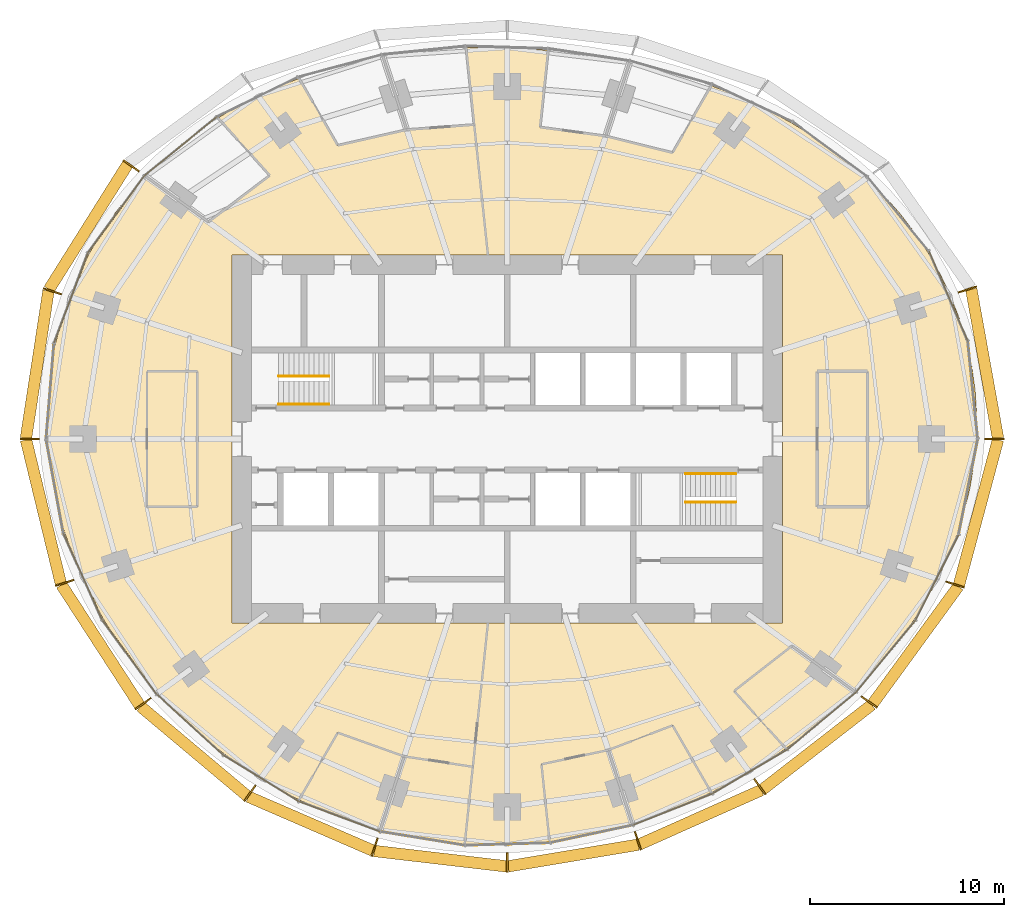
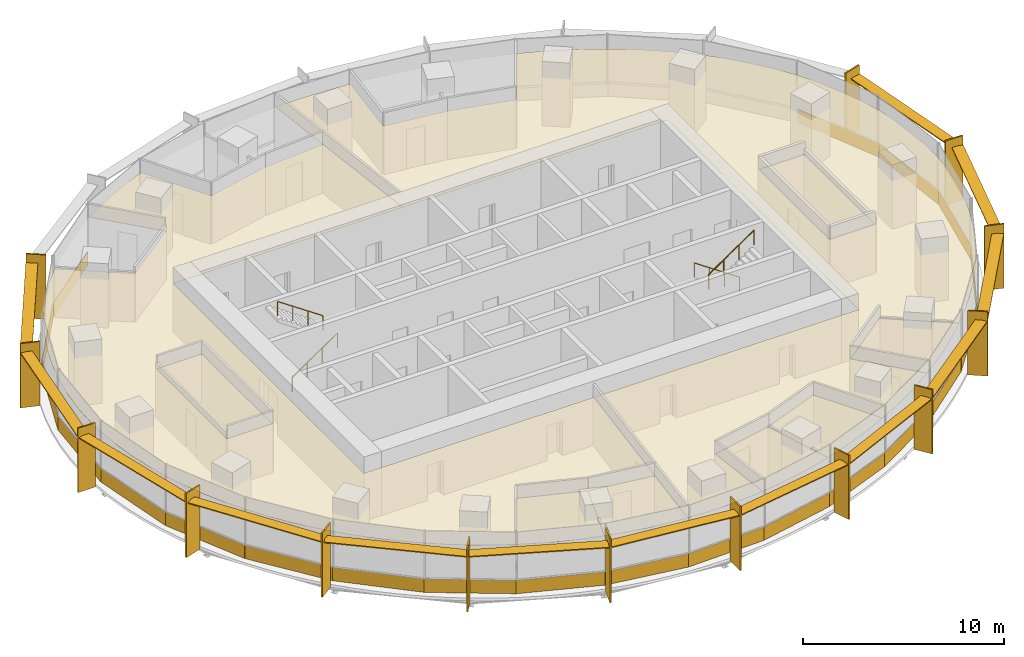
# One storey, part 14 of 15: 30 coverings, 27 shading devices, 4 railings.
"""IFC4 building model written with IfcOpenShell, lengths in metres."""

from ifc_helpers import new_model, si_unit, direction, frame, origin, origin_2d, place, context, subcontext, project, spatial, polyline, rectangle, circle, outline, extrude, material, layer, layer_set, type_object, element, save


model = new_model("IFC4")

# Units and contexts
model_context = context("Model", 3, precision=1e-05, world=origin(), true_north=direction((0.0, 1.0)))
body_context = subcontext(model_context, "Body", "Model", "MODEL_VIEW")
ifc_project = project(units=[si_unit("LENGTHUNIT", "METRE"), si_unit("AREAUNIT", "SQUARE_METRE"), si_unit("VOLUMEUNIT", "CUBIC_METRE"), si_unit("PLANEANGLEUNIT", "RADIAN"), si_unit("MASSUNIT", "GRAM", prefix="KILO")], contexts=[model_context])

# Site, building, storey
site_placement = place(None, origin())
site = spatial("IfcSite", under=ifc_project, at=site_placement, CompositionType="ELEMENT")
building_placement = place(site_placement, origin())
building = spatial("IfcBuilding", under=site, at=building_placement, Name="Marramba Exchange Tower", CompositionType="ELEMENT")
storey_placement = place(building_placement, frame((0.0, 0.0, 187.699951171875)))
storey = spatial("IfcBuildingStorey", under=building, at=storey_placement, Name="L45", CompositionType="ELEMENT", Elevation=187.699951171875)

# Shading devices
ifc_material_1 = material(Name="Aluminium blade, timber-look bronze finish", Category="wood")
ifc_layer_1 = layer(ifc_material_1, 0.080078125)
ifc_layer_set_1 = layer_set([ifc_layer_1], Name="Floor-edge blade 1000x80")
shading_device_type_1 = type_object("IfcShadingDeviceType", Name="Floor-edge blade 1000x80", PredefinedType="USERDEFINED", material=ifc_layer_set_1)
for number, where, z_axis, x_axis, name in (
    (1, (25.14404296875, 0.0, -0.159912109375), (0.0, 0.0, 1.0), (1.0, 0.0, 0.0), "Floor-edge blade FB1 L45 TC01"),
    (2, (23.757080078125, 7.718994140625, -0.159912109375), (0.0, 0.0, 1.0), (0.951056516295, 0.309016994375, 0.0), "Floor-edge blade FB1 L45 TC02"),
    (3, (-19.4140625, 14.105224609375, -0.159912109375), (0.0, 0.0, 1.0), (-0.809016994375, 0.587785252292, 0.0), "Floor-edge blade FB1 L45 TC09"),
    (4, (-23.488525390625, 7.6318359375, -0.159912109375), (0.0, 0.0, 1.0), (-0.951056516295, 0.309016994375, 0.0), "Floor-edge blade FB1 L45 TC10"),
    (5, (-24.656005859375, 0.0, -0.159912109375), (0.0, 0.0, 1.0), (-1.0, 0.0, 0.0), "Floor-edge blade FB1 L45 TC11"),
    (6, (-22.848876953125, -7.424072265625, -0.159912109375), (0.0, 0.0, 1.0), (-0.951056516295, -0.309016994375, 0.0), "Floor-edge blade FB1 L45 TC12"),
    (7, (-18.7998046875, -13.658935546875, -0.159912109375), (0.0, 0.0, 1.0), (-0.809016994375, -0.587785252292, 0.0), "Floor-edge blade FB1 L45 TC13"),
    (8, (-13.2841796875, -18.2841796875, -0.159912109375), (0.0, 0.0, 1.0), (-0.587785252292, -0.809016994375, 0.0), "Floor-edge blade FB1 L45 TC14"),
    (9, (-6.845703125, -21.069091796875, -0.159912109375), (0.0, 0.0, 1.0), (-0.309016994375, -0.951056516295, 0.0), "Floor-edge blade FB1 L45 TC15"),
    (10, (0.0, -21.86376953125, -0.159912109375), (0.0, 0.0, 1.0), (0.0, -1.0, 0.0), "Floor-edge blade FB1 L45 TC16"),
    (11, (6.739501953125, -20.741943359375, -0.159912109375), (0.0, 0.0, 1.0), (0.309016994375, -0.951056516295, 0.0), "Floor-edge blade FB1 L45 TC17"),
    (12, (13.0380859375, -17.9453125, -0.159912109375), (0.0, 0.0, 1.0), (0.587785252292, -0.809016994375, 0.0), "Floor-edge blade FB1 L45 TC18"),
    (13, (18.6845703125, -13.5751953125, -0.159912109375), (0.0, 0.0, 1.0), (0.809016994375, -0.587785252292, 0.0), "Floor-edge blade FB1 L45 TC19"),
    (14, (23.1171875, -7.51123046875, -0.159912109375), (0.0, 0.0, 1.0), (0.951056516295, -0.309016994375, 0.0), "Floor-edge blade FB1 L45 TC20"),
):
    element("IfcShadingDevice", number, at=place(storey_placement, frame(where, z_axis=z_axis, x_axis=x_axis)), inside=storey, type_object=shading_device_type_1, Name=name, ObjectType="FIN", PredefinedType="USERDEFINED", context=body_context, shape_type="SweptSolid", body=[
        extrude(rectangle(XDim=1.0, YDim=0.080078125, at=origin_2d()), origin(), (0.0, 0.0, 1.0), 3.89990234375),
    ])
ifc_material_2 = material(Name="Aluminium sunshade, bronze anodised", Category="aluminium")
ifc_layer_2 = layer(ifc_material_2, 0.06005859375)
ifc_layer_set_2 = layer_set([ifc_layer_2], Name="SUNSHADE blade 600x60")
shading_device_type_2 = type_object("IfcShadingDeviceType", Name="SUNSHADE blade 600x60", PredefinedType="USERDEFINED", material=ifc_layer_set_2)
shading_device_1_placement = place(storey_placement, frame((24.6455078125, 3.890380859375, 3.159912109375), z_axis=(0.0, 0.0, 1.0), x_axis=(-0.176690623809, 0.984266439262, 0.0)))
element("IfcShadingDevice", 15, at=shading_device_1_placement, inside=storey, type_object=shading_device_type_2, Name="Sunshade SS1 L45 bay 01", ObjectType="SUNSHADE", PredefinedType="USERDEFINED", context=body_context, shape_type="SweptSolid", body=[
    extrude(rectangle(XDim=7.8251953125, YDim=0.60009765625, at=origin_2d()), origin(), (0.0, 0.0, 1.0), 0.06005859375),
])
shading_device_2_placement = place(storey_placement, frame((-21.62744140625, 10.958251953125, 3.159912109375), z_axis=(0.0, 0.0, 1.0), x_axis=(-0.532082259983, -0.846692664792, 0.0)))
element("IfcShadingDevice", 16, at=shading_device_2_placement, inside=storey, type_object=shading_device_type_2, Name="Sunshade SS1 L45 bay 09", ObjectType="SUNSHADE", PredefinedType="USERDEFINED", context=body_context, shape_type="SweptSolid", body=[
    extrude(rectangle(XDim=7.631103515625, YDim=0.60009765625, at=origin_2d()), origin(), (0.0, 0.0, 1.0), 0.06005859375),
])
shading_device_3_placement = place(storey_placement, frame((-24.267333984375, 3.846923828125, 3.159912109375), z_axis=(0.0, 0.0, 1.0), x_axis=(-0.151240669327, -0.988496970123, 0.0)))
element("IfcShadingDevice", 17, at=shading_device_3_placement, inside=storey, type_object=shading_device_type_2, Name="Sunshade SS1 L45 bay 10", ObjectType="SUNSHADE", PredefinedType="USERDEFINED", context=body_context, shape_type="SweptSolid", body=[
    extrude(rectangle(XDim=7.703369140625, YDim=0.60009765625, at=origin_2d()), origin(), (0.0, 0.0, 1.0), 0.06005859375),
])
shading_device_4_placement = place(storey_placement, frame((-23.947509765625, -3.742919921875, 3.159912109375), z_axis=(0.0, 0.0, 1.0), x_axis=(0.235861488454, -0.971786683519, 0.0)))
element("IfcShadingDevice", 18, at=shading_device_4_placement, inside=storey, type_object=shading_device_type_2, Name="Sunshade SS1 L45 bay 11", ObjectType="SUNSHADE", PredefinedType="USERDEFINED", context=body_context, shape_type="SweptSolid", body=[
    extrude(rectangle(XDim=7.623291015625, YDim=0.60009765625, at=origin_2d()), origin(), (0.0, 0.0, 1.0), 0.06005859375),
])
shading_device_5_placement = place(storey_placement, frame((-21.000244140625, -10.631103515625, 3.159912109375), z_axis=(0.0, 0.0, 1.0), x_axis=(0.543921771105, -0.839135928749, 0.0)))
element("IfcShadingDevice", 19, at=shading_device_5_placement, inside=storey, type_object=shading_device_type_2, Name="Sunshade SS1 L45 bay 12", ObjectType="SUNSHADE", PredefinedType="USERDEFINED", context=body_context, shape_type="SweptSolid", body=[
    extrude(rectangle(XDim=7.41650390625, YDim=0.60009765625, at=origin_2d()), origin(), (0.0, 0.0, 1.0), 0.06005859375),
])
shading_device_6_placement = place(storey_placement, frame((-16.181640625, -16.111083984375, 3.159912109375), z_axis=(0.0, 0.0, 1.0), x_axis=(0.765761970568, -0.643124097225, 0.0)))
element("IfcShadingDevice", 20, at=shading_device_6_placement, inside=storey, type_object=shading_device_type_2, Name="Sunshade SS1 L45 bay 13", ObjectType="SUNSHADE", PredefinedType="USERDEFINED", context=body_context, shape_type="SweptSolid", body=[
    extrude(rectangle(XDim=7.1806640625, YDim=0.60009765625, at=origin_2d()), origin(), (0.0, 0.0, 1.0), 0.06005859375),
])
shading_device_7_placement = place(storey_placement, frame((-10.154541015625, -19.8525390625, 3.159912109375), z_axis=(0.0, 0.0, 1.0), x_axis=(0.917589256742, -0.397529817639, 0.0)))
element("IfcShadingDevice", 21, at=shading_device_7_placement, inside=storey, type_object=shading_device_type_2, Name="Sunshade SS1 L45 bay 14", ObjectType="SUNSHADE", PredefinedType="USERDEFINED", context=body_context, shape_type="SweptSolid", body=[
    extrude(rectangle(XDim=6.997314453125, YDim=0.60009765625, at=origin_2d()), origin(), (0.0, 0.0, 1.0), 0.06005859375),
])
shading_device_8_placement = place(storey_placement, frame((-3.453857421875, -21.66162109375, 3.159912109375), z_axis=(0.0, 0.0, 1.0), x_axis=(0.993288257497, -0.1156651958, 0.0)))
element("IfcShadingDevice", 22, at=shading_device_8_placement, inside=storey, type_object=shading_device_type_2, Name="Sunshade SS1 L45 bay 15", ObjectType="SUNSHADE", PredefinedType="USERDEFINED", context=body_context, shape_type="SweptSolid", body=[
    extrude(rectangle(XDim=6.874267578125, YDim=0.60009765625, at=origin_2d()), origin(), (0.0, 0.0, 1.0), 0.06005859375),
])
shading_device_9_placement = place(storey_placement, frame((3.400634765625, -21.498046875, 3.159912109375), z_axis=(0.0, 0.0, 1.0), x_axis=(0.986439622954, 0.164124557168, 0.0)))
element("IfcShadingDevice", 23, at=shading_device_9_placement, inside=storey, type_object=shading_device_type_2, Name="Sunshade SS1 L45 bay 16", ObjectType="SUNSHADE", PredefinedType="USERDEFINED", context=body_context, shape_type="SweptSolid", body=[
    extrude(rectangle(XDim=6.814697265625, YDim=0.60009765625, at=origin_2d()), origin(), (0.0, 0.0, 1.0), 0.06005859375),
])
shading_device_10_placement = place(storey_placement, frame((9.978515625, -19.519775390625, 3.159912109375), z_axis=(0.0, 0.0, 1.0), x_axis=(0.913771678576, 0.406228161792, 0.0)))
element("IfcShadingDevice", 24, at=shading_device_10_placement, inside=storey, type_object=shading_device_type_2, Name="Sunshade SS1 L45 bay 17", ObjectType="SUNSHADE", PredefinedType="USERDEFINED", context=body_context, shape_type="SweptSolid", body=[
    extrude(rectangle(XDim=6.8740234375, YDim=0.60009765625, at=origin_2d()), origin(), (0.0, 0.0, 1.0), 0.06005859375),
])
shading_device_11_placement = place(storey_placement, frame((16.0009765625, -15.89990234375, 3.159912109375), z_axis=(0.0, 0.0, 1.0), x_axis=(0.790133082515, 0.612935324414, 0.0)))
element("IfcShadingDevice", 25, at=shading_device_11_placement, inside=storey, type_object=shading_device_type_2, Name="Sunshade SS1 L45 bay 18", ObjectType="SUNSHADE", PredefinedType="USERDEFINED", context=body_context, shape_type="SweptSolid", body=[
    extrude(rectangle(XDim=7.122314453125, YDim=0.60009765625, at=origin_2d()), origin(), (0.0, 0.0, 1.0), 0.06005859375),
])
shading_device_12_placement = place(storey_placement, frame((21.076904296875, -10.6328125, 3.159912109375), z_axis=(0.0, 0.0, 1.0), x_axis=(0.589071758439, 0.808080728275, 0.0)))
element("IfcShadingDevice", 26, at=shading_device_12_placement, inside=storey, type_object=shading_device_type_2, Name="Sunshade SS1 L45 bay 19", ObjectType="SUNSHADE", PredefinedType="USERDEFINED", context=body_context, shape_type="SweptSolid", body=[
    extrude(rectangle(XDim=7.4931640625, YDim=0.60009765625, at=origin_2d()), origin(), (0.0, 0.0, 1.0), 0.06005859375),
])
shading_device_13_placement = place(storey_placement, frame((24.32568359375, -3.78662109375, 3.159912109375), z_axis=(0.0, 0.0, 1.0), x_axis=(0.259692365654, 0.965691397508, 0.0)))
element("IfcShadingDevice", 27, at=shading_device_13_placement, inside=storey, type_object=shading_device_type_2, Name="Sunshade SS1 L45 bay 20", ObjectType="SUNSHADE", PredefinedType="USERDEFINED", context=body_context, shape_type="SweptSolid", body=[
    extrude(rectangle(XDim=7.76220703125, YDim=0.60009765625, at=origin_2d()), origin(), (0.0, 0.0, 1.0), 0.06005859375),
])

# Coverings
ifc_material_3 = material(Name="Aluminium spandrel panel, bronze anodised, insulated", Category="aluminium")
ifc_layer_3 = layer(ifc_material_3, 0.050048828125)
ifc_layer_set_3 = layer_set([ifc_layer_3], Name="Spandrel panel 800")
covering_type_1 = type_object("IfcCoveringType", Name="Spandrel panel 800", PredefinedType="CLADDING", material=ifc_layer_set_3)
covering_1_placement = place(storey_placement, frame((24.036376953125, 2.527099609375, 0.0), z_axis=(0.0, 0.0, 1.0), x_axis=(-0.101422478545, 0.994843445395, 0.0)))
element("IfcCovering", 28, at=covering_1_placement, inside=storey, type_object=covering_type_1, Name="Spandrel panel SP1 L45 F01", PredefinedType="CLADDING", context=body_context, shape_type="SweptSolid", body=[
    extrude(rectangle(XDim=5.08056640625, YDim=0.050048828125, at=origin_2d()), origin(), (0.0, 0.0, 1.0), 0.800048828125),
])
covering_2_placement = place(storey_placement, frame((22.77734375, 7.374755859375, 0.0), z_axis=(0.0, 0.0, 1.0), x_axis=(-0.396193349205, 0.918167103552, 0.0)))
element("IfcCovering", 29, at=covering_2_placement, inside=storey, type_object=covering_type_1, Name="Spandrel panel SP1 L45 F02", PredefinedType="CLADDING", context=body_context, shape_type="SweptSolid", body=[
    extrude(rectangle(XDim=5.0546875, YDim=0.050048828125, at=origin_2d()), origin(), (0.0, 0.0, 1.0), 0.800048828125),
])
covering_3_placement = place(storey_placement, frame((-16.855712890625, 15.1240234375, 0.0), z_axis=(0.0, 0.0, 1.0), x_axis=(-0.776432169123, -0.630200830491, 0.0)))
element("IfcCovering", 30, at=covering_3_placement, inside=storey, type_object=covering_type_1, Name="Spandrel panel SP1 L45 F12", PredefinedType="CLADDING", context=body_context, shape_type="SweptSolid", body=[
    extrude(rectangle(XDim=4.81884765625, YDim=0.050048828125, at=origin_2d()), origin(), (0.0, 0.0, 1.0), 0.800048828125),
])
covering_4_placement = place(storey_placement, frame((-20.184326171875, 11.62060546875, 0.0), z_axis=(0.0, 0.0, 1.0), x_axis=(-0.591962919465, -0.805965198987, 0.0)))
element("IfcCovering", 31, at=covering_4_placement, inside=storey, type_object=covering_type_1, Name="Spandrel panel SP1 L45 F13", PredefinedType="CLADDING", context=body_context, shape_type="SweptSolid", body=[
    extrude(rectangle(XDim=4.925537109375, YDim=0.050048828125, at=origin_2d()), origin(), (0.0, 0.0, 1.0), 0.800048828125),
])
covering_5_placement = place(storey_placement, frame((-22.518798828125, 7.30419921875, 0.0), z_axis=(0.0, 0.0, 1.0), x_axis=(-0.351951514464, -0.936018232443, 0.0)))
element("IfcCovering", 32, at=covering_5_placement, inside=storey, type_object=covering_type_1, Name="Spandrel panel SP1 L45 F14", PredefinedType="CLADDING", context=body_context, shape_type="SweptSolid", body=[
    extrude(rectangle(XDim=4.981689453125, YDim=0.050048828125, at=origin_2d()), origin(), (0.0, 0.0, 1.0), 0.800048828125),
])
covering_6_placement = place(storey_placement, frame((-23.600830078125, 2.486328125, 0.0), z_axis=(0.0, 0.0, 1.0), x_axis=(-0.082280881776, -0.996609179415, 0.0)))
element("IfcCovering", 33, at=covering_6_placement, inside=storey, type_object=covering_type_1, Name="Spandrel panel SP1 L45 F15", PredefinedType="CLADDING", context=body_context, shape_type="SweptSolid", body=[
    extrude(rectangle(XDim=4.98974609375, YDim=0.050048828125, at=origin_2d()), origin(), (0.0, 0.0, 1.0), 0.800048828125),
])
covering_7_placement = place(storey_placement, frame((-23.359619140625, -2.43505859375, 0.0), z_axis=(0.0, 0.0, 1.0), x_axis=(0.180327442841, -0.983606635479, 0.0)))
element("IfcCovering", 34, at=covering_7_placement, inside=storey, type_object=covering_type_1, Name="Spandrel panel SP1 L45 F16", PredefinedType="CLADDING", context=body_context, shape_type="SweptSolid", body=[
    extrude(rectangle(XDim=4.951416015625, YDim=0.050048828125, at=origin_2d()), origin(), (0.0, 0.0, 1.0), 0.800048828125),
])
covering_8_placement = place(storey_placement, frame((-21.920654296875, -7.093994140625, 0.0), z_axis=(0.0, 0.0, 1.0), x_axis=(0.407557582153, -0.913179509861, 0.0)))
element("IfcCovering", 35, at=covering_8_placement, inside=storey, type_object=covering_type_1, Name="Spandrel panel SP1 L45 F17", PredefinedType="CLADDING", context=body_context, shape_type="SweptSolid", body=[
    extrude(rectangle(XDim=4.870361328125, YDim=0.050048828125, at=origin_2d()), origin(), (0.0, 0.0, 1.0), 0.800048828125),
])
covering_9_placement = place(storey_placement, frame((-19.520263671875, -11.238525390625, 0.0), z_axis=(0.0, 0.0, 1.0), x_axis=(0.591223097085, -0.80650805915, 0.0)))
element("IfcCovering", 36, at=covering_9_placement, inside=storey, type_object=covering_type_1, Name="Spandrel panel SP1 L45 F18", PredefinedType="CLADDING", context=body_context, shape_type="SweptSolid", body=[
    extrude(rectangle(XDim=4.762939453125, YDim=0.050048828125, at=origin_2d()), origin(), (0.0, 0.0, 1.0), 0.800048828125),
])
covering_10_placement = place(storey_placement, frame((-16.396240234375, -14.73193359375, 0.0), z_axis=(0.0, 0.0, 1.0), x_axis=(0.737203259599, -0.67567103981, 0.0)))
element("IfcCovering", 37, at=covering_10_placement, inside=storey, type_object=covering_type_1, Name="Spandrel panel SP1 L45 F19", PredefinedType="CLADDING", context=body_context, shape_type="SweptSolid", body=[
    extrude(rectangle(XDim=4.65478515625, YDim=0.050048828125, at=origin_2d()), origin(), (0.0, 0.0, 1.0), 0.800048828125),
])
covering_11_placement = place(storey_placement, frame((-12.73583984375, -17.497802734375, 0.0), z_axis=(0.0, 0.0, 1.0), x_axis=(0.852301010692, -0.52305161043, 0.0)))
element("IfcCovering", 38, at=covering_11_placement, inside=storey, type_object=covering_type_1, Name="Spandrel panel SP1 L45 F20", PredefinedType="CLADDING", context=body_context, shape_type="SweptSolid", body=[
    extrude(rectangle(XDim=4.563232421875, YDim=0.050048828125, at=origin_2d()), origin(), (0.0, 0.0, 1.0), 0.800048828125),
])
covering_12_placement = place(storey_placement, frame((-8.687255859375, -19.47607421875, 0.0), z_axis=(0.0, 0.0, 1.0), x_axis=(0.936951581946, -0.349459200892, 0.0)))
element("IfcCovering", 39, at=covering_12_placement, inside=storey, type_object=covering_type_1, Name="Spandrel panel SP1 L45 F21", PredefinedType="CLADDING", context=body_context, shape_type="SweptSolid", body=[
    extrude(rectangle(XDim=4.491455078125, YDim=0.050048828125, at=origin_2d()), origin(), (0.0, 0.0, 1.0), 0.800048828125),
])
covering_13_placement = place(storey_placement, frame((-4.393798828125, -20.6181640625, 0.0), z_axis=(0.0, 0.0, 1.0), x_axis=(0.98693062179, -0.161145734582, 0.0)))
element("IfcCovering", 40, at=covering_13_placement, inside=storey, type_object=covering_type_1, Name="Spandrel panel SP1 L45 F22", PredefinedType="CLADDING", context=body_context, shape_type="SweptSolid", body=[
    extrude(rectangle(XDim=4.4365234375, YDim=0.050048828125, at=origin_2d()), origin(), (0.0, 0.0, 1.0), 0.800048828125),
])
covering_14_placement = place(storey_placement, frame((-0.0068359375, -20.9111328125, 0.0), z_axis=(0.0, 0.0, 1.0), x_axis=(0.99956791932, 0.02939344597, 0.0)))
element("IfcCovering", 41, at=covering_14_placement, inside=storey, type_object=covering_type_1, Name="Spandrel panel SP1 L45 F23", PredefinedType="CLADDING", context=body_context, shape_type="SweptSolid", body=[
    extrude(rectangle(XDim=4.3974609375, YDim=0.050048828125, at=origin_2d()), origin(), (0.0, 0.0, 1.0), 0.800048828125),
])
covering_15_placement = place(storey_placement, frame((4.333984375, -20.389892578125, 0.0), z_axis=(0.0, 0.0, 1.0), x_axis=(0.978058068956, 0.208332459664, 0.0)))
element("IfcCovering", 42, at=covering_15_placement, inside=storey, type_object=covering_type_1, Name="Spandrel panel SP1 L45 F24", PredefinedType="CLADDING", context=body_context, shape_type="SweptSolid", body=[
    extrude(rectangle(XDim=4.3818359375, YDim=0.050048828125, at=origin_2d()), origin(), (0.0, 0.0, 1.0), 0.800048828125),
])
covering_16_placement = place(storey_placement, frame((8.525390625, -19.124267578125, 0.0), z_axis=(0.0, 0.0, 1.0), x_axis=(0.93007301151, 0.367374731386, 0.0)))
element("IfcCovering", 43, at=covering_16_placement, inside=storey, type_object=covering_type_1, Name="Spandrel panel SP1 L45 F25", PredefinedType="CLADDING", context=body_context, shape_type="SweptSolid", body=[
    extrude(rectangle(XDim=4.405517578125, YDim=0.050048828125, at=origin_2d()), origin(), (0.0, 0.0, 1.0), 0.800048828125),
])
covering_17_placement = place(storey_placement, frame((12.50634765625, -17.175537109375, 0.0), z_axis=(0.0, 0.0, 1.0), x_axis=(0.861350829898, 0.508010578466, 0.0)))
element("IfcCovering", 44, at=covering_17_placement, inside=storey, type_object=covering_type_1, Name="Spandrel panel SP1 L45 F26", PredefinedType="CLADDING", context=body_context, shape_type="SweptSolid", body=[
    extrude(rectangle(XDim=4.486572265625, YDim=0.050048828125, at=origin_2d()), origin(), (0.0, 0.0, 1.0), 0.800048828125),
])
covering_18_placement = place(storey_placement, frame((16.2177734375, -14.5556640625, 0.0), z_axis=(0.0, 0.0, 1.0), x_axis=(0.768736803132, 0.639565264465, 0.0)))
element("IfcCovering", 45, at=covering_18_placement, inside=storey, type_object=covering_type_1, Name="Spandrel panel SP1 L45 F27", PredefinedType="CLADDING", context=body_context, shape_type="SweptSolid", body=[
    extrude(rectangle(XDim=4.628662109375, YDim=0.050048828125, at=origin_2d()), origin(), (0.0, 0.0, 1.0), 0.800048828125),
])
covering_19_placement = place(storey_placement, frame((19.529541015625, -11.2265625, 0.0), z_axis=(0.0, 0.0, 1.0), x_axis=(0.638149992226, 0.769912064733, 0.0)))
element("IfcCovering", 46, at=covering_19_placement, inside=storey, type_object=covering_type_1, Name="Spandrel panel SP1 L45 F28", PredefinedType="CLADDING", context=body_context, shape_type="SweptSolid", body=[
    extrude(rectangle(XDim=4.80322265625, YDim=0.050048828125, at=origin_2d()), origin(), (0.0, 0.0, 1.0), 0.800048828125),
])
covering_20_placement = place(storey_placement, frame((22.17919921875, -7.16455078125, 0.0), z_axis=(0.0, 0.0, 1.0), x_axis=(0.450673091404, 0.892689063832, 0.0)))
element("IfcCovering", 47, at=covering_20_placement, inside=storey, type_object=covering_type_1, Name="Spandrel panel SP1 L45 F29", PredefinedType="CLADDING", context=body_context, shape_type="SweptSolid", body=[
    extrude(rectangle(XDim=4.957763671875, YDim=0.050048828125, at=origin_2d()), origin(), (0.0, 0.0, 1.0), 0.800048828125),
])
covering_21_placement = place(storey_placement, frame((23.795166015625, -2.475830078125, 0.0), z_axis=(0.0, 0.0, 1.0), x_axis=(0.197495401381, 0.980303813332, 0.0)))
element("IfcCovering", 48, at=covering_21_placement, inside=storey, type_object=covering_type_1, Name="Spandrel panel SP1 L45 F30", PredefinedType="CLADDING", context=body_context, shape_type="SweptSolid", body=[
    extrude(rectangle(XDim=5.05126953125, YDim=0.050048828125, at=origin_2d()), origin(), (0.0, 0.0, 1.0), 0.800048828125),
])

# Railings
ifc_material_4 = material(Name="Stainless steel handrail", Category="steel")
railing_type = type_object("IfcRailingType", Name="Stair handrail 900", PredefinedType="HANDRAIL", material=ifc_material_4)
railing_1_placement = place(storey_placement, frame((-11.800048828125, 1.800048828125, 0.17724609375)))
element("IfcRailing", 49, at=railing_1_placement, inside=storey, type_object=railing_type, Name="Handrail HR1 ST1 L45 flight 1", PredefinedType="HANDRAIL", context=body_context, shape_type="SweptSolid", body=[
    extrude(circle(Radius=0.02392578125, at=origin_2d()), frame((0.0, 0.0, 0.8759765625), z_axis=(0.826240473404, 0.0, 0.563317565952), x_axis=(0.0, 1.0, 0.0)), (0.0, 0.0, 1.0), 3.14697265625),
    extrude(circle(Radius=0.02099609375, at=origin_2d()), origin(), (0.0, 0.0, 1.0), 0.851806640625),
    extrude(circle(Radius=0.02099609375, at=origin_2d()), frame((0.86669921875, 0.0, 0.5908203125)), (0.0, 0.0, 1.0), 0.851806640625),
    extrude(circle(Radius=0.02099609375, at=origin_2d()), frame((1.7333984375, 0.0, 1.181884765625)), (0.0, 0.0, 1.0), 0.851806640625),
    extrude(circle(Radius=0.02099609375, at=origin_2d()), frame((2.60009765625, 0.0, 1.772705078125)), (0.0, 0.0, 1.0), 0.851806640625),
])
for number, where, name in (
    (50, (-9.199951171875, 3.25, 2.12744140625), "Handrail HR1 ST1 L45 flight 2"),
    (51, (11.800048828125, -1.800048828125, 0.17724609375), "Handrail HR1 ST2 L45 flight 1"),
):
    element("IfcRailing", number, at=place(storey_placement, frame(where)), inside=storey, type_object=railing_type, Name=name, PredefinedType="HANDRAIL", context=body_context, shape_type="SweptSolid", body=[
        extrude(circle(Radius=0.02392578125, at=origin_2d()), frame((0.0, 0.0, 0.8759765625), z_axis=(-0.826240473404, 0.0, 0.563317565952), x_axis=(0.0, -1.0, 0.0)), (0.0, 0.0, 1.0), 3.14697265625),
        extrude(circle(Radius=0.02099609375, at=origin_2d()), origin(), (0.0, 0.0, 1.0), 0.851806640625),
        extrude(circle(Radius=0.02099609375, at=origin_2d()), frame((-0.86669921875, 0.0, 0.5908203125)), (0.0, 0.0, 1.0), 0.851806640625),
        extrude(circle(Radius=0.02099609375, at=origin_2d()), frame((-1.7333984375, 0.0, 1.181884765625)), (0.0, 0.0, 1.0), 0.851806640625),
        extrude(circle(Radius=0.02099609375, at=origin_2d()), frame((-2.60009765625, 0.0, 1.772705078125)), (0.0, 0.0, 1.0), 0.851806640625),
    ])
railing_2_placement = place(storey_placement, frame((9.199951171875, -3.25, 2.12744140625)))
element("IfcRailing", 52, at=railing_2_placement, inside=storey, type_object=railing_type, Name="Handrail HR1 ST2 L45 flight 2", PredefinedType="HANDRAIL", context=body_context, shape_type="SweptSolid", body=[
    extrude(circle(Radius=0.02392578125, at=origin_2d()), frame((0.0, 0.0, 0.8759765625), z_axis=(0.826240473404, 0.0, 0.563317565952), x_axis=(0.0, 1.0, 0.0)), (0.0, 0.0, 1.0), 3.14697265625),
    extrude(circle(Radius=0.02099609375, at=origin_2d()), origin(), (0.0, 0.0, 1.0), 0.851806640625),
    extrude(circle(Radius=0.02099609375, at=origin_2d()), frame((0.86669921875, 0.0, 0.5908203125)), (0.0, 0.0, 1.0), 0.851806640625),
    extrude(circle(Radius=0.02099609375, at=origin_2d()), frame((1.7333984375, 0.0, 1.181884765625)), (0.0, 0.0, 1.0), 0.851806640625),
    extrude(circle(Radius=0.02099609375, at=origin_2d()), frame((2.60009765625, 0.0, 1.772705078125)), (0.0, 0.0, 1.0), 0.851806640625),
])

# Coverings
ifc_material_5 = material(Name="Mineral fibre ceiling tiles", Category="gypsum")
ifc_layer_4 = layer(ifc_material_5, 0.02001953125)
ifc_layer_set_4 = layer_set([ifc_layer_4], Name="Suspended ceiling 20")
covering_type_2 = type_object("IfcCoveringType", Name="Suspended ceiling 20", PredefinedType="CEILING", material=ifc_layer_set_4)
covering_22_placement = place(storey_placement, frame((0.0, 0.0, 2.900146484375)))
element("IfcCovering", 53, at=covering_22_placement, inside=storey, type_object=covering_type_2, Name="Ceiling CL1 L45 Private Banking Office", PredefinedType="CEILING", context=body_context, shape_type="SweptSolid", body=[
    extrude(outline(polyline([(14.199951171875, 9.5), (-0.99853515625, 9.5), (-2.123779296875, 20.20703125), (-1.059814453125, 20.22314453125), (0.0, 20.206298828125), (1.056396484375, 20.15771484375), (2.1103515625, 20.077880859375), (1.692138671875, 16.099609375), (5.082275390625, 15.641357421875), (8.5341796875, 14.78173828125), (10.5341796875, 18.245849609375), (11.584716796875, 17.839111328125), (12.6298828125, 17.383544921875), (13.666259765625, 16.87646484375), (14.689453125, 16.314453125), (15.695068359375, 15.695068359375), (16.67724609375, 15.016357421875), (17.6298828125, 14.276611328125), (18.54638671875, 13.474853515625), (19.41943359375, 12.611083984375), (20.24169921875, 11.6865234375), (21.00537109375, 10.70263671875), (21.702880859375, 9.662841796875), (22.32763671875, 8.57080078125), (22.87255859375, 7.431640625), (23.331787109375, 6.251708984375), (23.700439453125, 5.03759765625), (23.974853515625, 3.797119140625), (24.15234375, 2.53857421875), (24.23193359375, 1.27001953125), (24.214111328125, 0.0), (24.10009765625, -1.262939453125), (23.89306640625, -2.51123046875), (23.597412109375, -3.737548828125), (23.218017578125, -4.935302734375), (22.760986328125, -6.098876953125), (22.23291015625, -7.223876953125), (21.639892578125, -8.306884765625), (20.989013671875, -9.344970703125), (20.286865234375, -10.336669921875), (19.539794921875, -11.28125), (18.753173828125, -12.178466796875), (17.93212890625, -13.028564453125), (14.696044921875, -10.677490234375), (11.708740234375, -13.00390625), (14.38525390625, -15.976318359375), (13.44677734375, -16.60546875), (12.491455078125, -17.193115234375), (11.520263671875, -17.73974609375), (10.5341796875, -18.245849609375), (8.5341796875, -14.78173828125), (5.216064453125, -16.05322265625), (1.7646484375, -16.788818359375), (2.1826171875, -20.766845703125), (1.093994140625, -20.875244140625), (0.0, -20.93359375), (-1.097412109375, -20.94091796875), (-2.1962890625, -20.89599609375), (-0.99853515625, -9.5), (14.199951171875, -9.5), (14.199951171875, 9.5)]), holes=[polyline([(16.0, -3.5), (18.60009765625, -3.5), (18.60009765625, 3.5), (16.0, 3.5), (16.0, -3.5)])]), origin(), (0.0, 0.0, 1.0), 0.02001953125),
])
covering_23_placement = place(storey_placement, frame((0.0, 0.0, 2.900146484375)))
element("IfcCovering", 54, at=covering_23_placement, inside=storey, type_object=covering_type_2, Name="Ceiling CL1 L45 Wealth Advisory Office", PredefinedType="CEILING", context=body_context, shape_type="SweptSolid", body=[
    extrude(outline(polyline([(-14.199951171875, 9.5), (-14.199951171875, -9.5), (-0.99853515625, -9.5), (-1.7783203125, -16.91796875), (-5.322265625, -16.38037109375), (-8.75146484375, -15.15771484375), (-10.75146484375, -18.621826171875), (-11.755615234375, -18.101806640625), (-12.737548828125, -17.53173828125), (-13.6953125, -16.912353515625), (-14.626953125, -16.2451171875), (-15.5302734375, -15.5302734375), (-16.403076171875, -14.769287109375), (-17.242919921875, -13.962890625), (-18.04736328125, -13.1123046875), (-18.81396484375, -12.218017578125), (-19.539794921875, -11.28125), (-20.22119140625, -10.30322265625), (-20.85498046875, -9.285400390625), (-21.4375, -8.22900390625), (-21.96435546875, -7.13671875), (-22.431640625, -6.010498046875), (-22.8349609375, -4.853759765625), (-23.169921875, -3.669677734375), (-23.432373046875, -2.462890625), (-23.618896484375, -1.23779296875), (-23.72607421875, 0.0), (-23.7509765625, 1.24462890625), (-23.691650390625, 2.489990234375), (-23.547119140625, 3.7294921875), (-23.317138671875, 4.956298828125), (-23.002197265625, 6.163330078125), (-22.604248046875, 7.344482421875), (-22.125244140625, 8.4931640625), (-21.569091796875, 9.603271484375), (-20.939697265625, 10.669189453125), (-20.24169921875, 11.6865234375), (-19.48046875, 12.650634765625), (-18.66162109375, 13.55859375), (-15.425537109375, 11.20751953125), (-12.2548828125, 13.6103515625), (-14.931396484375, 16.5830078125), (-13.914794921875, 17.183349609375), (-12.8759765625, 17.722412109375), (-11.820068359375, 18.201171875), (-10.75146484375, 18.621826171875), (-8.75146484375, 15.15771484375), (-5.1884765625, 15.96875), (-1.705810546875, 16.22900390625), (-1.177001953125, 11.198486328125), (-0.99853515625, 9.5), (-14.199951171875, 9.5)]), holes=[polyline([(-18.60009765625, 3.5), (-18.60009765625, -3.5), (-16.0, -3.5), (-16.0, 3.5), (-18.60009765625, 3.5)])]), origin(), (0.0, 0.0, 1.0), 0.02001953125),
])
covering_24_placement = place(storey_placement, frame((0.0, 0.0, 2.900146484375)))
element("IfcCovering", 55, at=covering_24_placement, inside=storey, type_object=covering_type_2, Name="Ceiling CL1 L45 Office 6", PredefinedType="CEILING", context=body_context, shape_type="SweptSolid", body=[
    extrude(outline(polyline([(-7.438720703125, -19.92822265625), (-7.62841796875, -19.873046875), (-8.685546875, -19.50830078125), (-9.6787109375, -19.110595703125), (-9.727294921875, -19.091064453125), (-10.75146484375, -18.621826171875), (-8.75146484375, -15.15771484375), (-5.322265625, -16.38037109375), (-6.558349609375, -20.184814453125), (-7.438720703125, -19.92822265625)])), origin(), (0.0, 0.0, 1.0), 0.02001953125),
])
covering_25_placement = place(storey_placement, frame((0.0, 0.0, 2.900146484375)))
element("IfcCovering", 56, at=covering_25_placement, inside=storey, type_object=covering_type_2, Name="Ceiling CL1 L45 Office 7", PredefinedType="CEILING", context=body_context, shape_type="SweptSolid", body=[
    extrude(outline(polyline([(-5.477783203125, -20.44287109375), (-6.558349609375, -20.184814453125), (-5.322265625, -16.38037109375), (-1.7783203125, -16.91796875), (-2.1962890625, -20.89599609375), (-3.294189453125, -20.79833984375), (-3.888671875, -20.71630859375), (-4.388916015625, -20.6474609375), (-5.477783203125, -20.44287109375)])), origin(), (0.0, 0.0, 1.0), 0.02001953125),
])
covering_26_placement = place(storey_placement, frame((0.0, 0.0, 2.900146484375)))
element("IfcCovering", 57, at=covering_26_placement, inside=storey, type_object=covering_type_2, Name="Ceiling CL1 L45 Office 8", PredefinedType="CEILING", context=body_context, shape_type="SweptSolid", body=[
    extrude(outline(polyline([(5.411865234375, -20.150146484375), (5.400146484375, -20.153564453125), (5.36865234375, -20.160888671875), (4.337158203125, -20.404541015625), (3.26416015625, -20.609619140625), (2.946533203125, -20.65576171875), (2.1826171875, -20.766845703125), (1.7646484375, -16.788818359375), (5.216064453125, -16.05322265625), (6.4521484375, -19.857421875), (5.411865234375, -20.150146484375)])), origin(), (0.0, 0.0, 1.0), 0.02001953125),
])
covering_27_placement = place(storey_placement, frame((0.0, 0.0, 2.900146484375)))
element("IfcCovering", 58, at=covering_27_placement, inside=storey, type_object=covering_type_2, Name="Ceiling CL1 L45 Office 9", PredefinedType="CEILING", context=body_context, shape_type="SweptSolid", body=[
    extrude(outline(polyline([(9.53369140625, -18.711181640625), (8.51953125, -19.13525390625), (7.4921875, -19.517578125), (7.01025390625, -19.675048828125), (6.4521484375, -19.857421875), (5.216064453125, -16.05322265625), (8.5341796875, -14.78173828125), (10.5341796875, -18.245849609375), (9.53369140625, -18.711181640625)])), origin(), (0.0, 0.0, 1.0), 0.02001953125),
])
covering_28_placement = place(storey_placement, frame((0.0, 0.0, 2.900146484375)))
element("IfcCovering", 59, at=covering_28_placement, inside=storey, type_object=covering_type_2, Name="Ceiling CL1 L45 Office 10", PredefinedType="CEILING", context=body_context, shape_type="SweptSolid", body=[
    extrude(outline(polyline([(17.08154296875, -13.832275390625), (16.705810546875, -14.157470703125), (16.204833984375, -14.5908203125), (15.30517578125, -15.30517578125), (14.38525390625, -15.976318359375), (11.708740234375, -13.00390625), (14.696044921875, -10.677490234375), (17.93212890625, -13.028564453125), (17.08154296875, -13.832275390625)])), origin(), (0.0, 0.0, 1.0), 0.02001953125),
])
covering_29_placement = place(storey_placement, frame((0.0, 0.0, 2.900146484375)))
element("IfcCovering", 60, at=covering_29_placement, inside=storey, type_object=covering_type_2, Name="Ceiling CL1 L45 Meeting Room", PredefinedType="CEILING", context=body_context, shape_type="SweptSolid", body=[
    extrude(outline(polyline([(18.60009765625, -3.5), (16.0, -3.5), (16.0, 3.5), (18.60009765625, 3.5), (18.60009765625, -3.5)])), origin(), (0.0, 0.0, 1.0), 0.02001953125),
])
covering_30_placement = place(storey_placement, frame((0.0, 0.0, 2.900146484375)))
element("IfcCovering", 61, at=covering_30_placement, inside=storey, type_object=covering_type_2, Name="Ceiling CL1 L45 Pantry", PredefinedType="CEILING", context=body_context, shape_type="SweptSolid", body=[
    extrude(outline(polyline([(-16.0, -3.5), (-18.60009765625, -3.5), (-18.60009765625, 3.5), (-16.0, 3.5), (-16.0, -3.5)])), origin(), (0.0, 0.0, 1.0), 0.02001953125),
])

save(model, "model.ifc")
